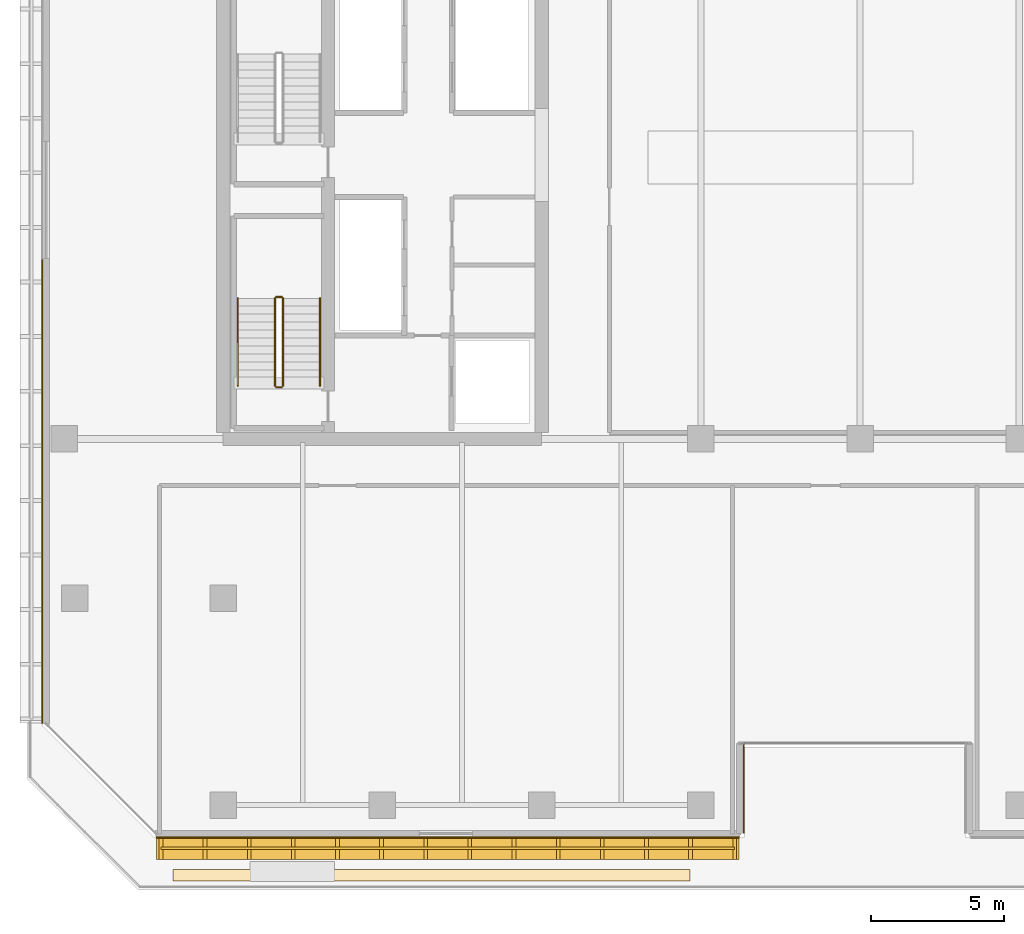
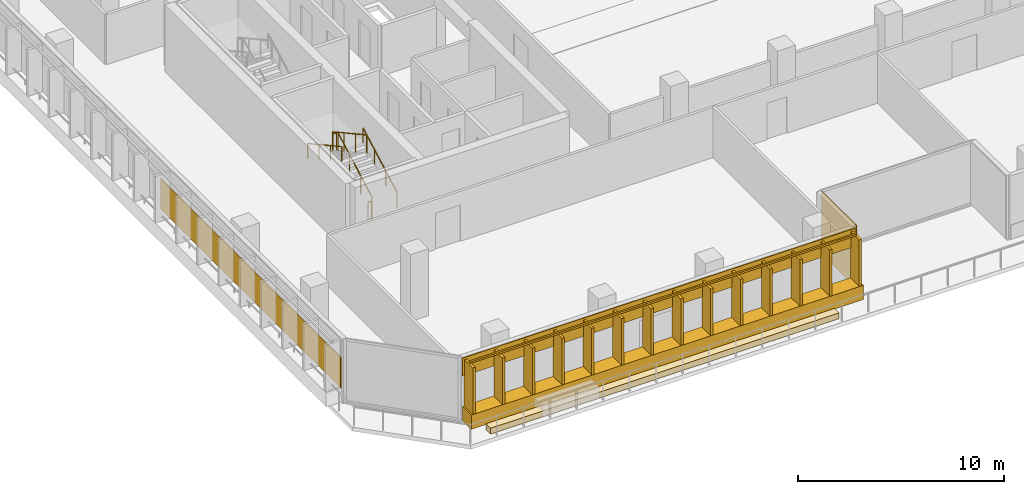
# One storey, part 33 of 38: 7 railings, 5 coverings.
"""IFC4 building model written with IfcOpenShell, lengths in metres."""

from ifc_helpers import new_model, si_unit, direction, frame, origin, origin_2d, place, context, subcontext, project, spatial, polyline, rectangle, outline, extrude, material, layer, layer_set, type_object, element, save


model = new_model("IFC4")

# Units and contexts
model_context = context("Model", 3, precision=1e-05, world=origin(), true_north=direction((0.0, 1.0)))
body_context = subcontext(model_context, "Body", "Model", "MODEL_VIEW")
ifc_project = project(units=[si_unit("LENGTHUNIT", "METRE"), si_unit("AREAUNIT", "SQUARE_METRE"), si_unit("VOLUMEUNIT", "CUBIC_METRE"), si_unit("PLANEANGLEUNIT", "RADIAN"), si_unit("MASSUNIT", "GRAM", prefix="KILO")], contexts=[model_context])

# Site, building, storey
site_placement = place(None, origin())
site = spatial("IfcSite", under=ifc_project, at=site_placement, CompositionType="ELEMENT")
building_placement = place(site_placement, origin())
building = spatial("IfcBuilding", under=site, at=building_placement, Name="Tanjung Sevakor Pilgrim Tower", CompositionType="ELEMENT")
storey_placement = place(building_placement, frame((0.0, 0.0, 78.2099609375)))
storey = spatial("IfcBuildingStorey", under=building, at=storey_placement, Name="L21", CompositionType="ELEMENT", Elevation=78.2099609375)

# Coverings
ifc_material_1 = material(Name="Reconstructed Limestone Cladding", Category="masonry")
ifc_layer_1 = layer(ifc_material_1, 0.044921875)
ifc_layer_set_1 = layer_set([ifc_layer_1], Name="COV-CLAD-LIMESTONE")
covering_type_1 = type_object("IfcCoveringType", Name="COV-CLAD-LIMESTONE", PredefinedType="CLADDING", material=ifc_layer_set_1)
covering_1_placement = place(storey_placement, frame((32.46337890625, 9.169921875, 0.009765625), z_axis=(0.0, 0.0, 1.0), x_axis=(1.0, 0.0, 0.0)))
element("IfcCovering", 1, at=covering_1_placement, inside=storey, type_object=covering_type_1, Name="L21 Warm Limestone Sill Spandrel EW-L21-MAIN-1-1", PredefinedType="CLADDING", context=body_context, shape_type="SweptSolid", body=[
    extrude(rectangle(XDim=21.943115234375, YDim=0.860107421875, at=origin_2d()), origin(), (0.0, 0.0, 1.0), 0.840087890625),
])
covering_2_placement = place(storey_placement, frame((32.46337890625, 9.577392578125, 2.66015625), z_axis=(0.0, 0.0, 1.0), x_axis=(1.0, 0.0, 0.0)))
element("IfcCovering", 2, at=covering_2_placement, inside=storey, type_object=covering_type_1, Name="L21 Warm Limestone Cornice Spandrel EW-L21-MAIN-1", PredefinedType="CLADDING", context=body_context, shape_type="SweptSolid", body=[
    extrude(rectangle(XDim=21.983154296875, YDim=0.044921875, at=origin_2d()), origin(), (0.0, 0.0, 1.0), 1.070068359375),
])
covering_3_placement = place(storey_placement, frame((43.62255859375, 11.425048828125, 0.02001953125), z_axis=(0.0, 0.0, 1.0), x_axis=(0.0, 1.0, 0.0)))
element("IfcCovering", 3, at=covering_3_placement, inside=storey, type_object=covering_type_1, Name="L21 Warm Limestone Wall Cladding EW-L21-MAIN-2", PredefinedType="CLADDING", context=body_context, shape_type="SweptSolid", body=[
    extrude(rectangle(XDim=3.360107421875, YDim=0.044921875, at=origin_2d()), origin(), (0.0, 0.0, 1.0), 3.699951171875),
])
covering_4_placement = place(storey_placement, frame((17.177490234375, 22.620849609375, 0.85009765625), z_axis=(0.0, 0.0, 1.0), x_axis=(0.0, -1.0, 0.0)))
element("IfcCovering", 4, at=covering_4_placement, inside=storey, type_object=covering_type_1, Name="L21 Warm Limestone Pier Panel EW-L21-MAIN-15-2", PredefinedType="CLADDING", context=body_context, shape_type="SweptSolid", body=[
    extrude(rectangle(XDim=17.458251953125, YDim=0.044921875, at=origin_2d()), origin(), (0.0, 0.0, 1.0), 1.81005859375),
])
ifc_material_2 = material(Name="Vegetated Modular Planter Assembly", Category="organic")
ifc_layer_2 = layer(ifc_material_2, 0.35009765625)
ifc_layer_set_2 = layer_set([ifc_layer_2], Name="COV-GRN-TROUGH")
covering_type_2 = type_object("IfcCoveringType", Name="COV-GRN-TROUGH", PredefinedType="CLADDING", material=ifc_layer_set_2)
covering_5_placement = place(storey_placement, origin())
element("IfcCovering", 5, at=covering_5_placement, inside=storey, type_object=covering_type_2, Name="L21 Planted Landscape Hedge Trough SGRN-L21-SW", PredefinedType="CLADDING", context=body_context, shape_type="SweptSolid", body=[
    extrude(outline(polyline([(22.10009765625, 7.929931640625), (41.60009765625, 7.929931640625), (41.60009765625, 8.3701171875), (22.10009765625, 8.3701171875), (22.10009765625, 7.929931640625)])), origin(), (0.0, 0.0, 1.0), 0.35009765625),
])

# Railings
ifc_material_3 = material(Name="Anodised Bronze Aluminium 6063-T6", Category="aluminium")
railing_type_1 = type_object("IfcRailingType", Name="RL-FIN-SCREEN", PredefinedType="BALUSTRADE", material=ifc_material_3)
railing_1_placement = place(storey_placement, frame((21.65185546875, 9.175048828125, 0.840087890625)))
element("IfcRailing", 6, at=railing_1_placement, inside=storey, type_object=railing_type_1, Name="L21 Vertical Bronze-Gold Solar Fin Screen FNSCR-EW-L21-MAIN-1-1", PredefinedType="BALUSTRADE", context=body_context, shape_type="SweptSolid", body=[
    extrude(rectangle(XDim=0.105, YDim=0.105), frame((0.0, 0.0, 2.817626953125), z_axis=(1.0, 0.0, 0.0), x_axis=(0.0, 1.0, 0.0)), (0.0, 0.0, 1.0), 21.623046875),
    extrude(rectangle(XDim=0.14, YDim=0.85), origin(), (0.0, 0.0, 1.0), 2.76513671875),
    extrude(rectangle(XDim=0.14, YDim=0.85), frame((1.663330078125, 0.0, 0.0)), (0.0, 0.0, 1.0), 2.76513671875),
    extrude(rectangle(XDim=0.14, YDim=0.85), frame((3.32666015625, 0.0, 0.0)), (0.0, 0.0, 1.0), 2.76513671875),
    extrude(rectangle(XDim=0.14, YDim=0.85), frame((4.989990234375, 0.0, 0.0)), (0.0, 0.0, 1.0), 2.76513671875),
    extrude(rectangle(XDim=0.14, YDim=0.85), frame((6.6533203125, 0.0, 0.0)), (0.0, 0.0, 1.0), 2.76513671875),
    extrude(rectangle(XDim=0.14, YDim=0.85), frame((8.316650390625, 0.0, 0.0)), (0.0, 0.0, 1.0), 2.76513671875),
    extrude(rectangle(XDim=0.14, YDim=0.85), frame((9.97998046875, 0.0, 0.0)), (0.0, 0.0, 1.0), 2.76513671875),
    extrude(rectangle(XDim=0.14, YDim=0.85), frame((11.64306640625, 0.0, 0.0)), (0.0, 0.0, 1.0), 2.76513671875),
    extrude(rectangle(XDim=0.14, YDim=0.85), frame((13.306396484375, 0.0, 0.0)), (0.0, 0.0, 1.0), 2.76513671875),
    extrude(rectangle(XDim=0.14, YDim=0.85), frame((14.9697265625, 0.0, 0.0)), (0.0, 0.0, 1.0), 2.76513671875),
    extrude(rectangle(XDim=0.14, YDim=0.85), frame((16.633056640625, 0.0, 0.0)), (0.0, 0.0, 1.0), 2.76513671875),
    extrude(rectangle(XDim=0.14, YDim=0.85), frame((18.29638671875, 0.0, 0.0)), (0.0, 0.0, 1.0), 2.76513671875),
    extrude(rectangle(XDim=0.14, YDim=0.85), frame((19.959716796875, 0.0, 0.0)), (0.0, 0.0, 1.0), 2.76513671875),
    extrude(rectangle(XDim=0.14, YDim=0.85), frame((21.623046875, 0.0, 0.0)), (0.0, 0.0, 1.0), 2.76513671875),
])
ifc_material_4 = material(Name="Steel S355J2", Category="steel")
railing_type_2 = type_object("IfcRailingType", Name="RL-STAIR-GUARD", PredefinedType="GUARDRAIL", material=ifc_material_4)
railing_2_placement = place(storey_placement, frame((26.25, 26.60009765625, 0.1650390625)))
element("IfcRailing", 7, at=railing_2_placement, inside=storey, type_object=railing_type_2, Name="L21 TS-W1 stair guard 1", PredefinedType="GUARDRAIL", context=body_context, shape_type="SweptSolid", body=[
    extrude(rectangle(XDim=0.0479, YDim=0.0479), frame((0.0, 0.0, 1.076171875), z_axis=(0.0, 0.876210433733, 0.481928704082), x_axis=(-1.0, 0.0, 0.0)), (0.0, 0.0, 1.0), 3.76611328125),
    extrude(rectangle(XDim=0.042, YDim=0.042), origin(), (0.0, 0.0, 1.0), 1.052001953125),
    extrude(rectangle(XDim=0.042, YDim=0.042), frame((0.0, 1.099853515625, 0.60498046875)), (0.0, 0.0, 1.0), 1.052001953125),
    extrude(rectangle(XDim=0.042, YDim=0.042), frame((0.0, 2.199951171875, 1.2099609375)), (0.0, 0.0, 1.0), 1.052001953125),
    extrude(rectangle(XDim=0.042, YDim=0.042), frame((0.0, 3.2998046875, 1.81494140625)), (0.0, 0.0, 1.0), 1.052001953125),
])
railing_3_placement = place(storey_placement, frame((26.199951171875, 29.949951171875, 1.97998046875)))
element("IfcRailing", 8, at=railing_3_placement, inside=storey, type_object=railing_type_2, Name="L21 TS-W1 stair guard 2", PredefinedType="GUARDRAIL", context=body_context, shape_type="SweptSolid", body=[
    extrude(rectangle(XDim=0.0479, YDim=0.0479), frame((0.0, 0.0, 1.076171875), z_axis=(-1.0, 0.0, 0.0), x_axis=(0.0, -1.0, 0.0)), (0.0, 0.0, 1.0), 0.199951171875),
    extrude(rectangle(XDim=0.042, YDim=0.042), origin(), (0.0, 0.0, 1.0), 1.052001953125),
    extrude(rectangle(XDim=0.042, YDim=0.042), frame((-0.199951171875, 0.0, 0.0)), (0.0, 0.0, 1.0), 1.052001953125),
])
railing_4_placement = place(storey_placement, frame((25.949951171875, 29.89990234375, 2.14501953125)))
element("IfcRailing", 9, at=railing_4_placement, inside=storey, type_object=railing_type_2, Name="L21 TS-W1 stair guard 3", PredefinedType="GUARDRAIL", context=body_context, shape_type="SweptSolid", body=[
    extrude(rectangle(XDim=0.0479, YDim=0.0479), frame((0.0, 0.0, 1.076171875), z_axis=(0.0, -0.876210433733, 0.481928704082), x_axis=(1.0, 0.0, 0.0)), (0.0, 0.0, 1.0), 3.76611328125),
    extrude(rectangle(XDim=0.042, YDim=0.042), origin(), (0.0, 0.0, 1.0), 1.052001953125),
    extrude(rectangle(XDim=0.042, YDim=0.042), frame((0.0, -1.099853515625, 0.60498046875)), (0.0, 0.0, 1.0), 1.052001953125),
    extrude(rectangle(XDim=0.042, YDim=0.042), frame((0.0, -2.199951171875, 1.2099609375)), (0.0, 0.0, 1.0), 1.052001953125),
    extrude(rectangle(XDim=0.042, YDim=0.042), frame((0.0, -3.2998046875, 1.81494140625)), (0.0, 0.0, 1.0), 1.052001953125),
])
railing_5_placement = place(storey_placement, frame((26.199951171875, 26.550048828125, 0.0)))
element("IfcRailing", 10, at=railing_5_placement, inside=storey, type_object=railing_type_2, Name="L21 TS-W1 stair guard 4", PredefinedType="GUARDRAIL", context=body_context, shape_type="SweptSolid", body=[
    extrude(rectangle(XDim=0.0479, YDim=0.0479), frame((0.0, 0.0, 1.076171875), z_axis=(-1.0, 0.0, 0.0), x_axis=(0.0, -1.0, 0.0)), (0.0, 0.0, 1.0), 0.199951171875),
    extrude(rectangle(XDim=0.042, YDim=0.042), origin(), (0.0, 0.0, 1.0), 1.052001953125),
    extrude(rectangle(XDim=0.042, YDim=0.042), frame((-0.199951171875, 0.0, 0.0)), (0.0, 0.0, 1.0), 1.052001953125),
])
ifc_material_5 = material(Name="Steel S355J2", Category="steel")
railing_type_3 = type_object("IfcRailingType", Name="RL-STAIR-HAND", PredefinedType="HANDRAIL", material=ifc_material_5)
railing_6_placement = place(storey_placement, frame((27.64990234375, 26.60009765625, 0.1650390625)))
element("IfcRailing", 11, at=railing_6_placement, inside=storey, type_object=railing_type_3, Name="L21 TS-W1 stair handrail 1", PredefinedType="HANDRAIL", context=body_context, shape_type="SweptSolid", body=[
    extrude(rectangle(XDim=0.0479, YDim=0.0479), frame((0.0, 0.0, 0.8759765625), z_axis=(0.0, 0.876210433733, 0.481928704082), x_axis=(-1.0, 0.0, 0.0)), (0.0, 0.0, 1.0), 3.76611328125),
    extrude(rectangle(XDim=0.042, YDim=0.042), origin(), (0.0, 0.0, 1.0), 0.851806640625),
    extrude(rectangle(XDim=0.042, YDim=0.042), frame((0.0, 1.099853515625, 0.60498046875)), (0.0, 0.0, 1.0), 0.851806640625),
    extrude(rectangle(XDim=0.042, YDim=0.042), frame((0.0, 2.199951171875, 1.2099609375)), (0.0, 0.0, 1.0), 0.851806640625),
    extrude(rectangle(XDim=0.042, YDim=0.042), frame((0.0, 3.2998046875, 1.81494140625)), (0.0, 0.0, 1.0), 0.851806640625),
])
railing_7_placement = place(storey_placement, frame((24.550048828125, 29.89990234375, 2.14501953125)))
element("IfcRailing", 12, at=railing_7_placement, inside=storey, type_object=railing_type_3, Name="L21 TS-W1 stair handrail 2", PredefinedType="HANDRAIL", context=body_context, shape_type="SweptSolid", body=[
    extrude(rectangle(XDim=0.0479, YDim=0.0479), frame((0.0, 0.0, 0.8759765625), z_axis=(0.0, -0.876210433733, 0.481928704082), x_axis=(1.0, 0.0, 0.0)), (0.0, 0.0, 1.0), 3.76611328125),
    extrude(rectangle(XDim=0.042, YDim=0.042), origin(), (0.0, 0.0, 1.0), 0.851806640625),
    extrude(rectangle(XDim=0.042, YDim=0.042), frame((0.0, -1.099853515625, 0.60498046875)), (0.0, 0.0, 1.0), 0.851806640625),
    extrude(rectangle(XDim=0.042, YDim=0.042), frame((0.0, -2.199951171875, 1.2099609375)), (0.0, 0.0, 1.0), 0.851806640625),
    extrude(rectangle(XDim=0.042, YDim=0.042), frame((0.0, -3.2998046875, 1.81494140625)), (0.0, 0.0, 1.0), 0.851806640625),
])

save(model, "model.ifc")
